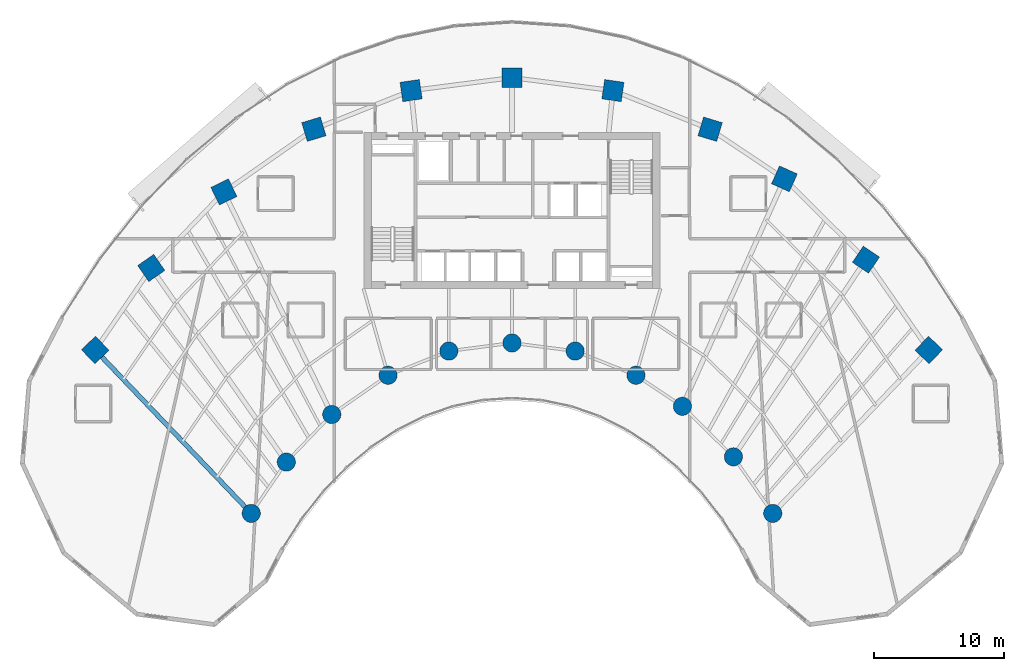
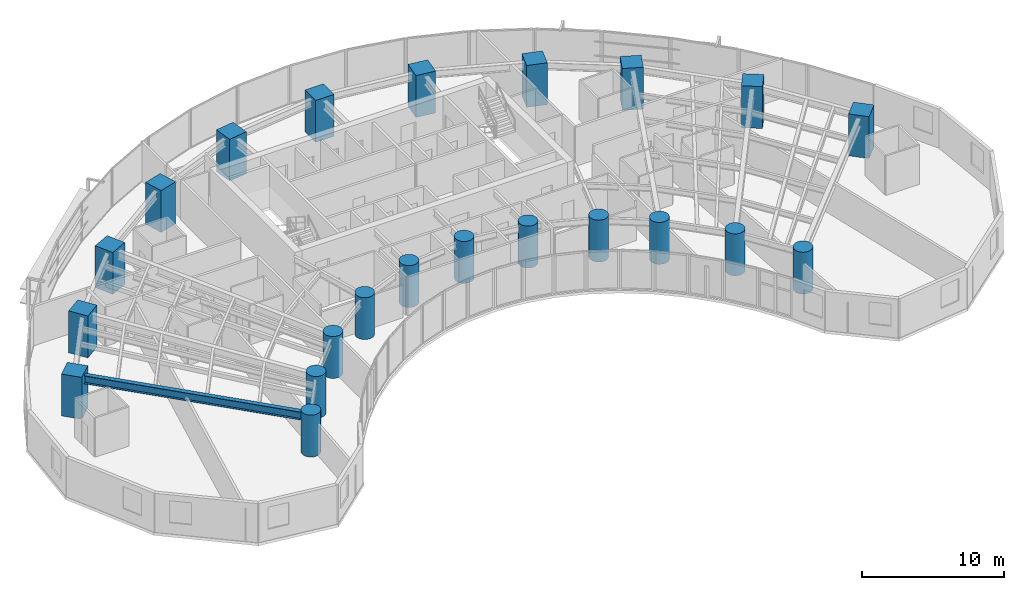
# One storey, part 1 of 17: 22 columns, 1 beam.
"""IFC4 building model written with IfcOpenShell, lengths in metres."""

from ifc_helpers import new_model, si_unit, direction, frame, origin, origin_2d, place, context, subcontext, project, spatial, rectangle, circle, i_section, extrude, source, transform, mapped, material, material_profile, profile_set, type_object, type_shapes, element, save


model = new_model("IFC4")

# Units and contexts
model_context = context("Model", 3, precision=1e-05, world=origin(), true_north=direction((0.0, 1.0)))
body_context = subcontext(model_context, "Body", "Model", "MODEL_VIEW")
ifc_project = project(units=[si_unit("LENGTHUNIT", "METRE"), si_unit("AREAUNIT", "SQUARE_METRE"), si_unit("VOLUMEUNIT", "CUBIC_METRE"), si_unit("PLANEANGLEUNIT", "RADIAN"), si_unit("MASSUNIT", "GRAM", prefix="KILO")], contexts=[model_context])

# Site, building, storey
site_placement = place(None, origin())
site = spatial("IfcSite", under=ifc_project, at=site_placement, CompositionType="ELEMENT")
building_placement = place(site_placement, origin())
building = spatial("IfcBuilding", under=site, at=building_placement, Name="Breltana Convention Tower", CompositionType="ELEMENT")
storey_placement = place(building_placement, frame((0.0, 0.0, 78.60009765625)))
storey = spatial("IfcBuildingStorey", under=building, at=storey_placement, Name="L18", CompositionType="ELEMENT", Elevation=78.60009765625)

# Columns
ifc_material_1 = material(Name="Concrete C60/75", Category="concrete")
ifc_material_profile_1 = material_profile(ifc_material_1, circle(Radius=0.699951171875, at=origin_2d()), Name="RC-COL-D1400")
ifc_profile_set_1 = profile_set([ifc_material_profile_1], Name="Concrete C60/75")
column_type_1 = type_object("IfcColumnType", Name="COL-RC-D1400", PredefinedType="COLUMN", material=ifc_profile_set_1)
shared_shape_1 = source(origin(), body_context, "Body", "SweptSolid", [
    extrude(circle(Radius=0.699951171875, at=origin_2d()), origin(), (0.0, 0.0, 1.0), 3.599853515625),
])
for number, where, z_axis, x_axis, name in (
    (1, (27.984619140625, 42.95458984375, 0.0), (0.0, 0.0, 1.0), (-0.690756218984, 0.723087716626, 0.0), "L18 Tower Column R01-IN"),
    (2, (30.67724609375, 46.892333984375, 0.0), (0.0, 0.0, 1.0), (-0.571143442153, 0.820850271661, 0.0), "L18 Tower Column R02-IN"),
    (3, (34.166259765625, 50.544921875, 0.0), (0.0, 0.0, 1.0), (-0.436173672171, 0.899862504889, 0.0), "L18 Tower Column R03-IN"),
    (4, (38.485107421875, 53.5576171875, 0.0), (0.0, 0.0, 1.0), (-0.288697611798, 0.957420330337, 0.0), "L18 Tower Column R04-IN"),
    (5, (43.153564453125, 55.41064453125, 0.0), (0.0, 0.0, 1.0), (-0.143492621991, 0.98965138682, 0.0), "L18 Tower Column R05-IN"),
    (6, (48.0, 56.035888671875, 0.0), (0.0, 0.0, 1.0), (0.0, 1.0, 0.0), "L18 Tower Column R06-IN"),
    (7, (52.846435546875, 55.41064453125, 0.0), (0.0, 0.0, 1.0), (0.143492621991, 0.98965138682, 0.0), "L18 Tower Column R07-IN"),
    (8, (57.514892578125, 53.5576171875, 0.0), (0.0, 0.0, 1.0), (0.288697611798, 0.957420330337, 0.0), "L18 Tower Column R08-IN"),
    (9, (61.08203125, 51.174560546875, 0.0), (0.0, 0.0, 1.0), (0.409126902895, 0.912477494148, 0.0), "L18 Tower Column R09-IN"),
    (10, (64.995849609375, 47.293701171875, 0.0), (0.0, 0.0, 1.0), (0.55774510898, 0.830012285095, 0.0), "L18 Tower Column R10-IN"),
    (11, (68.015380859375, 42.95458984375, 0.0), (0.0, 0.0, 1.0), (0.690756218984, 0.723087716626, 0.0), "L18 Tower Column R11-IN"),
):
    element("IfcColumn", number, at=place(storey_placement, frame(where, z_axis=z_axis, x_axis=x_axis)), inside=storey, type_object=column_type_1, Name=name, PredefinedType="COLUMN", context=body_context, shape_type="MappedRepresentation", body=[
        mapped(shared_shape_1, transform((0.0, 0.0, 0.0), scale=1.0)),
    ])
ifc_material_profile_2 = material_profile(ifc_material_1, rectangle(XDim=1.5, YDim=1.5, at=origin_2d()), Name="RC-COL-1500X1500")
ifc_profile_set_2 = profile_set([ifc_material_profile_2], Name="Concrete C60/75")
column_type_2 = type_object("IfcColumnType", Name="COL-RC-1500", PredefinedType="COLUMN", material=ifc_profile_set_2)
shared_shape_2 = source(origin(), body_context, "Body", "SweptSolid", [
    extrude(rectangle(XDim=1.5, YDim=1.5, at=origin_2d()), origin(), (0.0, 0.0, 1.0), 3.599853515625),
])
for number, where, z_axis, x_axis, name in (
    (12, (16.0068359375, 55.494384765625, 0.0), (0.0, 0.0, 1.0), (-0.690756218984, 0.723087716626, 0.0), "L18 Tower Column R01-OUT"),
    (13, (20.310791015625, 61.78857421875, 0.0), (0.0, 0.0, 1.0), (-0.571143442153, 0.820850271661, 0.0), "L18 Tower Column R02-OUT"),
    (14, (25.8876953125, 67.626953125, 0.0), (0.0, 0.0, 1.0), (-0.436173672171, 0.899862504889, 0.0), "L18 Tower Column R03-OUT"),
    (15, (32.791015625, 72.4423828125, 0.0), (0.0, 0.0, 1.0), (-0.288697611798, 0.957420330337, 0.0), "L18 Tower Column R04-OUT"),
    (16, (40.253173828125, 75.404296875, 0.0), (0.0, 0.0, 1.0), (-0.143492621991, 0.98965138682, 0.0), "L18 Tower Column R05-OUT"),
    (17, (48.0, 76.404052734375, 0.0), (0.0, 0.0, 1.0), (0.0, 1.0, 0.0), "L18 Tower Column R06-OUT"),
    (18, (55.746826171875, 75.404296875, 0.0), (0.0, 0.0, 1.0), (0.143492621991, 0.98965138682, 0.0), "L18 Tower Column R07-OUT"),
    (19, (63.208984375, 72.4423828125, 0.0), (0.0, 0.0, 1.0), (0.288697611798, 0.957420330337, 0.0), "L18 Tower Column R08-OUT"),
    (20, (68.910400390625, 68.63330078125, 0.0), (0.0, 0.0, 1.0), (0.409126902895, 0.912477494148, 0.0), "L18 Tower Column R09-OUT"),
    (21, (75.166748046875, 62.43017578125, 0.0), (0.0, 0.0, 1.0), (0.55774510898, 0.830012285095, 0.0), "L18 Tower Column R10-OUT"),
    (22, (79.9931640625, 55.494384765625, 0.0), (0.0, 0.0, 1.0), (0.690756218984, 0.723087716626, 0.0), "L18 Tower Column R11-OUT"),
):
    element("IfcColumn", number, at=place(storey_placement, frame(where, z_axis=z_axis, x_axis=x_axis)), inside=storey, type_object=column_type_2, Name=name, PredefinedType="COLUMN", context=body_context, shape_type="MappedRepresentation", body=[
        mapped(shared_shape_2, transform((0.0, 0.0, 0.0), scale=1.0)),
    ])

# Beam
ifc_material_2 = material(Name="Steel ASTM A992 Grade 50", Category="steel")
ifc_material_profile_3 = material_profile(ifc_material_2, i_section(OverallWidth=0.35498046875, OverallDepth=0.696044921875, WebThickness=0.015380859375, FlangeThickness=0.02490234375, at=origin_2d()), Name="W27X146")
ifc_profile_set_3 = profile_set([ifc_material_profile_3], Name="Steel ASTM A992 Grade 50")
beam_type = type_object("IfcBeamType", Name="BM-RG-W27X146", PredefinedType="USERDEFINED", material=ifc_profile_set_3)
shared_shape_3 = source(origin(), body_context, "Body", "SweptSolid", [
    extrude(i_section(OverallWidth=0.35498046875, OverallDepth=0.696044921875, WebThickness=0.015380859375, FlangeThickness=0.02490234375, at=origin_2d()), origin(), (0.0, 0.0, 1.0), 17.341064453125),
])
type_shapes(beam_type, [shared_shape_3])
beam_placement = place(storey_placement, frame((27.984619140625, 42.95458984375, 3.011962890625), z_axis=(-0.690716462293, 0.723125693581, 0.0), x_axis=(-0.723125693581, -0.690716462293, 0.0)))
element("IfcBeam", 23, at=beam_placement, inside=storey, type_object=beam_type, Name="L18 Radial Floor Girder R01", ObjectType="GIRDER", PredefinedType="USERDEFINED", context=body_context, shape_type="MappedRepresentation", body=[
    mapped(shared_shape_3, transform((0.0, 0.0, 0.0), scale=1.0)),
])

save(model, "model.ifc")
